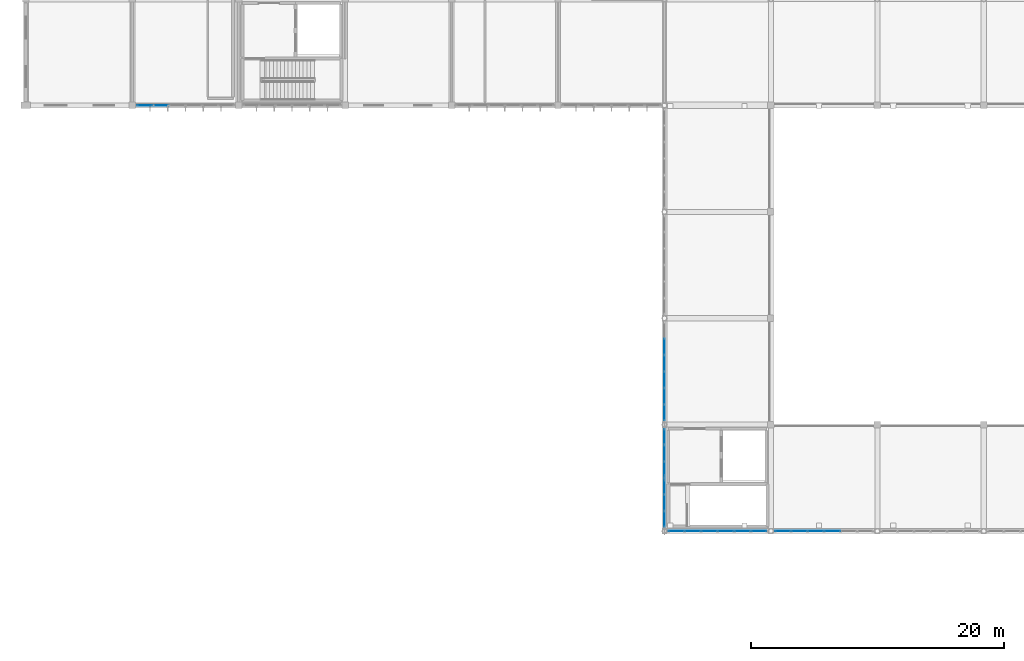
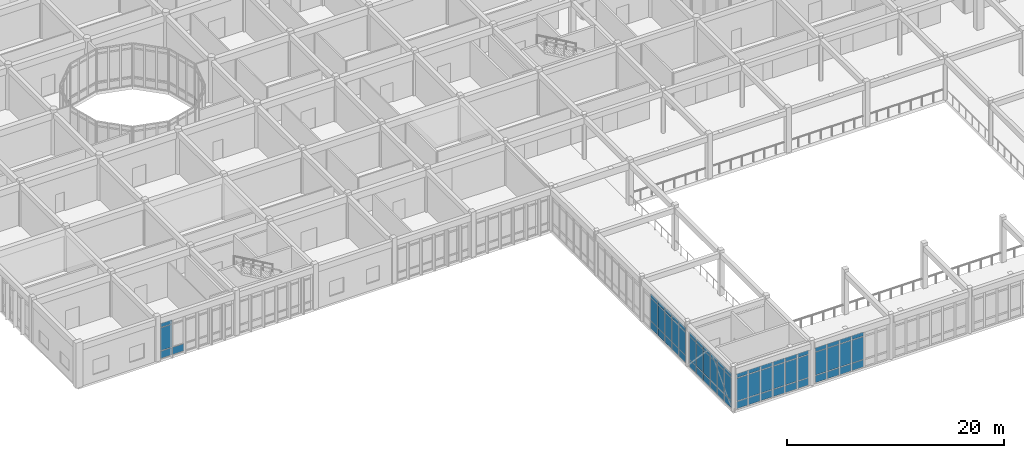
# One storey, part 66 of 134: 67 plates, 5 elements without a shape of their own.
"""IFC4 building model written with IfcOpenShell, lengths in metres."""

from ifc_helpers import new_model, si_unit, direction, frame, origin, origin_2d, place, context, subcontext, project, spatial, rectangle, extrude, material, layer, layer_set, type_object, element, aggregate, save


model = new_model("IFC4")

# Units and contexts
model_context = context("Model", 3, precision=1e-05, world=origin(), true_north=direction((0.0, 1.0)))
body_context = subcontext(model_context, "Body", "Model", "MODEL_VIEW")
ifc_project = project(units=[si_unit("LENGTHUNIT", "METRE"), si_unit("AREAUNIT", "SQUARE_METRE"), si_unit("VOLUMEUNIT", "CUBIC_METRE"), si_unit("PLANEANGLEUNIT", "RADIAN"), si_unit("MASSUNIT", "GRAM", prefix="KILO")], contexts=[model_context])

# Site, building, storey
site_placement = place(None, origin())
site = spatial("IfcSite", under=ifc_project, at=site_placement, CompositionType="ELEMENT")
building_placement = place(site_placement, origin())
building = spatial("IfcBuilding", under=site, at=building_placement, Name="Bramfleet General Hospital", CompositionType="ELEMENT")
storey_placement = place(building_placement, frame((0.0, 0.0, 9.300048828125)))
storey = spatial("IfcBuildingStorey", under=building, at=storey_placement, Name="L02", CompositionType="ELEMENT", Elevation=9.300048828125)

# Curtain wall, plates
ifc_material_1 = material(Name="Anodised aluminium and low-E triple glazing", Category="aluminium")
ifc_layer_1 = layer(ifc_material_1, 0.179931640625, Name="CWT-CW-07")
ifc_layer_set_1 = layer_set([ifc_layer_1], Name="Anodised aluminium and low-E triple glazing")
curtain_wall_type_1 = type_object("IfcCurtainWallType", Name="CWT-CW-07", PredefinedType="USERDEFINED", material=ifc_layer_set_1)
curtain_wall_1_placement = place(storey_placement, origin())
curtain_wall_1 = element("IfcCurtainWall", 1, at=curtain_wall_1_placement, inside=storey, type_object=curtain_wall_type_1, Name="L02 Curtain Wall 133", ObjectType="Unitised curtain wall", PredefinedType="USERDEFINED")
ifc_material_2 = material(Name="Low-E laminated safety glass", Category="glass")
ifc_layer_2 = layer(ifc_material_2, 0.028076171875, Name="CWP-GLZ-1")
ifc_layer_set_2 = layer_set([ifc_layer_2], Name="Low-E laminated safety glass")
plate_type_1 = type_object("IfcPlateType", Name="CWP-GLZ-1", PredefinedType="CURTAIN_PANEL", material=ifc_layer_set_2)
plate_1_placement = place(storey_placement, frame((57.849609375, 16.800048828125, 0.06494140625), z_axis=(0.0, 0.0, 1.0), x_axis=(-1.0, 0.0, 0.0)))
plate_1 = element("IfcPlate", 2, at=plate_1_placement, type_object=plate_type_1, Name="CW-07 panel 1.1", PredefinedType="CURTAIN_PANEL", context=body_context, shape_type="SweptSolid", body=[
    extrude(rectangle(XDim=1.19482421875, YDim=0.028076171875, at=origin_2d()), origin(), (0.0, 0.0, 1.0), 0.802490234375),
])
plate_2_placement = place(storey_placement, frame((57.849609375, 16.800048828125, 0.9326171875), z_axis=(0.0, 0.0, 1.0), x_axis=(-1.0, 0.0, 0.0)))
plate_2 = element("IfcPlate", 3, at=plate_2_placement, type_object=plate_type_1, Name="CW-07 panel 1.2", PredefinedType="CURTAIN_PANEL", context=body_context, shape_type="SweptSolid", body=[
    extrude(rectangle(XDim=1.19482421875, YDim=0.028076171875, at=origin_2d()), origin(), (0.0, 0.0, 1.0), 2.554931640625),
])
plate_3_placement = place(storey_placement, frame((57.849609375, 16.800048828125, 3.552734375), z_axis=(0.0, 0.0, 1.0), x_axis=(-1.0, 0.0, 0.0)))
plate_3 = element("IfcPlate", 4, at=plate_3_placement, type_object=plate_type_1, Name="CW-07 panel 1.3", PredefinedType="CURTAIN_PANEL", context=body_context, shape_type="SweptSolid", body=[
    extrude(rectangle(XDim=1.19482421875, YDim=0.028076171875, at=origin_2d()), origin(), (0.0, 0.0, 1.0), 0.452392578125),
])
plate_4_placement = place(storey_placement, frame((56.56103515625, 16.800048828125, 0.06494140625), z_axis=(0.0, 0.0, 1.0), x_axis=(-1.0, 0.0, 0.0)))
plate_4 = element("IfcPlate", 5, at=plate_4_placement, type_object=plate_type_1, Name="CW-07 panel 2.1", PredefinedType="CURTAIN_PANEL", context=body_context, shape_type="SweptSolid", body=[
    extrude(rectangle(XDim=1.232421875, YDim=0.028076171875, at=origin_2d()), origin(), (0.0, 0.0, 1.0), 0.802490234375),
])
plate_5_placement = place(storey_placement, frame((56.56103515625, 16.800048828125, 0.9326171875), z_axis=(0.0, 0.0, 1.0), x_axis=(-1.0, 0.0, 0.0)))
plate_5 = element("IfcPlate", 6, at=plate_5_placement, type_object=plate_type_1, Name="CW-07 panel 2.2", PredefinedType="CURTAIN_PANEL", context=body_context, shape_type="SweptSolid", body=[
    extrude(rectangle(XDim=1.232421875, YDim=0.028076171875, at=origin_2d()), origin(), (0.0, 0.0, 1.0), 2.554931640625),
])
plate_6_placement = place(storey_placement, frame((56.56103515625, 16.800048828125, 3.552734375), z_axis=(0.0, 0.0, 1.0), x_axis=(-1.0, 0.0, 0.0)))
plate_6 = element("IfcPlate", 7, at=plate_6_placement, type_object=plate_type_1, Name="CW-07 panel 2.3", PredefinedType="CURTAIN_PANEL", context=body_context, shape_type="SweptSolid", body=[
    extrude(rectangle(XDim=1.232421875, YDim=0.028076171875, at=origin_2d()), origin(), (0.0, 0.0, 1.0), 0.452392578125),
])
plate_7_placement = place(storey_placement, frame((55.253662109375, 16.800048828125, 0.06494140625), z_axis=(0.0, 0.0, 1.0), x_axis=(-1.0, 0.0, 0.0)))
plate_7 = element("IfcPlate", 8, at=plate_7_placement, type_object=plate_type_1, Name="CW-07 panel 3.1", PredefinedType="CURTAIN_PANEL", context=body_context, shape_type="SweptSolid", body=[
    extrude(rectangle(XDim=1.232421875, YDim=0.028076171875, at=origin_2d()), origin(), (0.0, 0.0, 1.0), 0.802490234375),
])
plate_8_placement = place(storey_placement, frame((55.253662109375, 16.800048828125, 0.9326171875), z_axis=(0.0, 0.0, 1.0), x_axis=(-1.0, 0.0, 0.0)))
plate_8 = element("IfcPlate", 9, at=plate_8_placement, type_object=plate_type_1, Name="CW-07 panel 3.2", PredefinedType="CURTAIN_PANEL", context=body_context, shape_type="SweptSolid", body=[
    extrude(rectangle(XDim=1.232421875, YDim=0.028076171875, at=origin_2d()), origin(), (0.0, 0.0, 1.0), 2.554931640625),
])
plate_9_placement = place(storey_placement, frame((55.253662109375, 16.800048828125, 3.552734375), z_axis=(0.0, 0.0, 1.0), x_axis=(-1.0, 0.0, 0.0)))
plate_9 = element("IfcPlate", 10, at=plate_9_placement, type_object=plate_type_1, Name="CW-07 panel 3.3", PredefinedType="CURTAIN_PANEL", context=body_context, shape_type="SweptSolid", body=[
    extrude(rectangle(XDim=1.232421875, YDim=0.028076171875, at=origin_2d()), origin(), (0.0, 0.0, 1.0), 0.452392578125),
])
plate_10_placement = place(storey_placement, frame((53.9462890625, 16.800048828125, 0.06494140625), z_axis=(0.0, 0.0, 1.0), x_axis=(-1.0, 0.0, 0.0)))
plate_10 = element("IfcPlate", 11, at=plate_10_placement, type_object=plate_type_1, Name="CW-07 panel 4.1", PredefinedType="CURTAIN_PANEL", context=body_context, shape_type="SweptSolid", body=[
    extrude(rectangle(XDim=1.232421875, YDim=0.028076171875, at=origin_2d()), origin(), (0.0, 0.0, 1.0), 0.802490234375),
])
plate_11_placement = place(storey_placement, frame((53.9462890625, 16.800048828125, 0.9326171875), z_axis=(0.0, 0.0, 1.0), x_axis=(-1.0, 0.0, 0.0)))
plate_11 = element("IfcPlate", 12, at=plate_11_placement, type_object=plate_type_1, Name="CW-07 panel 4.2", PredefinedType="CURTAIN_PANEL", context=body_context, shape_type="SweptSolid", body=[
    extrude(rectangle(XDim=1.232421875, YDim=0.028076171875, at=origin_2d()), origin(), (0.0, 0.0, 1.0), 2.554931640625),
])
plate_12_placement = place(storey_placement, frame((53.9462890625, 16.800048828125, 3.552734375), z_axis=(0.0, 0.0, 1.0), x_axis=(-1.0, 0.0, 0.0)))
plate_12 = element("IfcPlate", 13, at=plate_12_placement, type_object=plate_type_1, Name="CW-07 panel 4.3", PredefinedType="CURTAIN_PANEL", context=body_context, shape_type="SweptSolid", body=[
    extrude(rectangle(XDim=1.232421875, YDim=0.028076171875, at=origin_2d()), origin(), (0.0, 0.0, 1.0), 0.452392578125),
])
plate_13_placement = place(storey_placement, frame((52.638916015625, 16.800048828125, 0.06494140625), z_axis=(0.0, 0.0, 1.0), x_axis=(-1.0, 0.0, 0.0)))
plate_13 = element("IfcPlate", 14, at=plate_13_placement, type_object=plate_type_1, Name="CW-07 panel 5.1", PredefinedType="CURTAIN_PANEL", context=body_context, shape_type="SweptSolid", body=[
    extrude(rectangle(XDim=1.232421875, YDim=0.028076171875, at=origin_2d()), origin(), (0.0, 0.0, 1.0), 0.802490234375),
])
plate_14_placement = place(storey_placement, frame((52.638916015625, 16.800048828125, 0.9326171875), z_axis=(0.0, 0.0, 1.0), x_axis=(-1.0, 0.0, 0.0)))
plate_14 = element("IfcPlate", 15, at=plate_14_placement, type_object=plate_type_1, Name="CW-07 panel 5.2", PredefinedType="CURTAIN_PANEL", context=body_context, shape_type="SweptSolid", body=[
    extrude(rectangle(XDim=1.232421875, YDim=0.028076171875, at=origin_2d()), origin(), (0.0, 0.0, 1.0), 2.554931640625),
])
plate_15_placement = place(storey_placement, frame((52.638916015625, 16.800048828125, 3.552734375), z_axis=(0.0, 0.0, 1.0), x_axis=(-1.0, 0.0, 0.0)))
plate_15 = element("IfcPlate", 16, at=plate_15_placement, type_object=plate_type_1, Name="CW-07 panel 5.3", PredefinedType="CURTAIN_PANEL", context=body_context, shape_type="SweptSolid", body=[
    extrude(rectangle(XDim=1.232421875, YDim=0.028076171875, at=origin_2d()), origin(), (0.0, 0.0, 1.0), 0.452392578125),
])
plate_16_placement = place(storey_placement, frame((51.350341796875, 16.800048828125, 0.06494140625), z_axis=(0.0, 0.0, 1.0), x_axis=(-1.0, 0.0, 0.0)))
plate_16 = element("IfcPlate", 17, at=plate_16_placement, type_object=plate_type_1, Name="CW-07 panel 6.1", PredefinedType="CURTAIN_PANEL", context=body_context, shape_type="SweptSolid", body=[
    extrude(rectangle(XDim=1.19482421875, YDim=0.028076171875, at=origin_2d()), origin(), (0.0, 0.0, 1.0), 0.802490234375),
])
plate_17_placement = place(storey_placement, frame((51.350341796875, 16.800048828125, 0.9326171875), z_axis=(0.0, 0.0, 1.0), x_axis=(-1.0, 0.0, 0.0)))
plate_17 = element("IfcPlate", 18, at=plate_17_placement, type_object=plate_type_1, Name="CW-07 panel 6.2", PredefinedType="CURTAIN_PANEL", context=body_context, shape_type="SweptSolid", body=[
    extrude(rectangle(XDim=1.19482421875, YDim=0.028076171875, at=origin_2d()), origin(), (0.0, 0.0, 1.0), 2.554931640625),
])
plate_18_placement = place(storey_placement, frame((51.350341796875, 16.800048828125, 3.552734375), z_axis=(0.0, 0.0, 1.0), x_axis=(-1.0, 0.0, 0.0)))
plate_18 = element("IfcPlate", 19, at=plate_18_placement, type_object=plate_type_1, Name="CW-07 panel 6.3", PredefinedType="CURTAIN_PANEL", context=body_context, shape_type="SweptSolid", body=[
    extrude(rectangle(XDim=1.19482421875, YDim=0.028076171875, at=origin_2d()), origin(), (0.0, 0.0, 1.0), 0.452392578125),
])
aggregate(curtain_wall_1, [plate_1, plate_2, plate_3, plate_4, plate_5, plate_6, plate_7, plate_8, plate_9, plate_10, plate_11, plate_12, plate_13, plate_14, plate_15, plate_16, plate_17, plate_18])

ifc_layer_3 = layer(ifc_material_1, 0.179931640625, Name="CWT-CW-15")
ifc_layer_set_3 = layer_set([ifc_layer_3], Name="Anodised aluminium and low-E triple glazing")
curtain_wall_type_2 = type_object("IfcCurtainWallType", Name="CWT-CW-15", PredefinedType="USERDEFINED", material=ifc_layer_set_3)
curtain_wall_2_placement = place(storey_placement, origin())
curtain_wall_2 = element("IfcCurtainWall", 20, at=curtain_wall_2_placement, inside=storey, type_object=curtain_wall_type_2, Name="L02 Curtain Wall 141", ObjectType="Stick curtain wall", PredefinedType="USERDEFINED")
plate_19_placement = place(storey_placement, frame((10.66259765625, 50.39990234375, 0.06494140625), z_axis=(0.0, 0.0, 1.0), x_axis=(-1.0, 0.0, 0.0)))
plate_19 = element("IfcPlate", 21, at=plate_19_placement, type_object=plate_type_1, Name="CW-15 panel 5.1", PredefinedType="CURTAIN_PANEL", context=body_context, shape_type="SweptSolid", body=[
    extrude(rectangle(XDim=1.2216796875, YDim=0.028076171875, at=origin_2d()), origin(), (0.0, 0.0, 1.0), 0.802490234375),
])
plate_20_placement = place(storey_placement, frame((9.388427734375, 50.39990234375, 0.06494140625), z_axis=(0.0, 0.0, 1.0), x_axis=(-1.0, 0.0, 0.0)))
plate_20 = element("IfcPlate", 22, at=plate_20_placement, type_object=plate_type_1, Name="CW-15 panel 6.1", PredefinedType="CURTAIN_PANEL", context=body_context, shape_type="SweptSolid", body=[
    extrude(rectangle(XDim=1.186767578125, YDim=0.028076171875, at=origin_2d()), origin(), (0.0, 0.0, 1.0), 0.802490234375),
])
plate_21_placement = place(storey_placement, frame((9.388427734375, 50.39990234375, 0.9326171875), z_axis=(0.0, 0.0, 1.0), x_axis=(-1.0, 0.0, 0.0)))
plate_21 = element("IfcPlate", 23, at=plate_21_placement, type_object=plate_type_1, Name="CW-15 panel 6.2", PredefinedType="CURTAIN_PANEL", context=body_context, shape_type="SweptSolid", body=[
    extrude(rectangle(XDim=1.186767578125, YDim=0.028076171875, at=origin_2d()), origin(), (0.0, 0.0, 1.0), 2.554931640625),
])
plate_22_placement = place(storey_placement, frame((9.388427734375, 50.39990234375, 3.552734375), z_axis=(0.0, 0.0, 1.0), x_axis=(-1.0, 0.0, 0.0)))
plate_22 = element("IfcPlate", 24, at=plate_22_placement, type_object=plate_type_1, Name="CW-15 panel 6.3", PredefinedType="CURTAIN_PANEL", context=body_context, shape_type="SweptSolid", body=[
    extrude(rectangle(XDim=1.186767578125, YDim=0.028076171875, at=origin_2d()), origin(), (0.0, 0.0, 1.0), 0.452392578125),
])
aggregate(curtain_wall_2, [plate_19, plate_20, plate_21, plate_22])

ifc_layer_4 = layer(ifc_material_1, 0.179931640625, Name="CWT-CW-08")
ifc_layer_set_4 = layer_set([ifc_layer_4], Name="Anodised aluminium and low-E triple glazing")
curtain_wall_type_3 = type_object("IfcCurtainWallType", Name="CWT-CW-08", PredefinedType="USERDEFINED", material=ifc_layer_set_4)
curtain_wall_3_placement = place(storey_placement, origin())
curtain_wall_3 = element("IfcCurtainWall", 25, at=curtain_wall_3_placement, inside=storey, type_object=curtain_wall_type_3, Name="L02 Curtain Wall 134", ObjectType="Unitised curtain wall", PredefinedType="USERDEFINED")
ifc_layer_5 = layer(ifc_material_2, 0.031982421875, Name="CWP-GLZ-2")
ifc_layer_set_5 = layer_set([ifc_layer_5], Name="Low-E laminated safety glass")
plate_type_2 = type_object("IfcPlateType", Name="CWP-GLZ-2", PredefinedType="CURTAIN_PANEL", material=ifc_layer_set_5)
plate_23_placement = place(storey_placement, frame((50.39990234375, 17.75048828125, 0.06494140625), z_axis=(0.0, 0.0, 1.0), x_axis=(0.0, 1.0, 0.0)))
plate_23 = element("IfcPlate", 26, at=plate_23_placement, type_object=plate_type_2, Name="CW-08 panel 1.1", PredefinedType="CURTAIN_PANEL", context=body_context, shape_type="SweptSolid", body=[
    extrude(rectangle(XDim=1.19482421875, YDim=0.031982421875, at=origin_2d()), origin(), (0.0, 0.0, 1.0), 0.802490234375),
])
plate_24_placement = place(storey_placement, frame((50.39990234375, 17.75048828125, 0.9326171875), z_axis=(0.0, 0.0, 1.0), x_axis=(0.0, 1.0, 0.0)))
plate_24 = element("IfcPlate", 27, at=plate_24_placement, type_object=plate_type_2, Name="CW-08 panel 1.2", PredefinedType="CURTAIN_PANEL", context=body_context, shape_type="SweptSolid", body=[
    extrude(rectangle(XDim=1.19482421875, YDim=0.031982421875, at=origin_2d()), origin(), (0.0, 0.0, 1.0), 2.554931640625),
])
plate_25_placement = place(storey_placement, frame((50.39990234375, 17.75048828125, 3.552734375), z_axis=(0.0, 0.0, 1.0), x_axis=(0.0, 1.0, 0.0)))
plate_25 = element("IfcPlate", 28, at=plate_25_placement, type_object=plate_type_2, Name="CW-08 panel 1.3", PredefinedType="CURTAIN_PANEL", context=body_context, shape_type="SweptSolid", body=[
    extrude(rectangle(XDim=1.19482421875, YDim=0.031982421875, at=origin_2d()), origin(), (0.0, 0.0, 1.0), 0.452392578125),
])
plate_26_placement = place(storey_placement, frame((50.39990234375, 19.0390625, 0.06494140625), z_axis=(0.0, 0.0, 1.0), x_axis=(0.0, 1.0, 0.0)))
plate_26 = element("IfcPlate", 29, at=plate_26_placement, type_object=plate_type_2, Name="CW-08 panel 2.1", PredefinedType="CURTAIN_PANEL", context=body_context, shape_type="SweptSolid", body=[
    extrude(rectangle(XDim=1.232421875, YDim=0.031982421875, at=origin_2d()), origin(), (0.0, 0.0, 1.0), 0.802490234375),
])
plate_27_placement = place(storey_placement, frame((50.39990234375, 19.0390625, 0.9326171875), z_axis=(0.0, 0.0, 1.0), x_axis=(0.0, 1.0, 0.0)))
plate_27 = element("IfcPlate", 30, at=plate_27_placement, type_object=plate_type_2, Name="CW-08 panel 2.2", PredefinedType="CURTAIN_PANEL", context=body_context, shape_type="SweptSolid", body=[
    extrude(rectangle(XDim=1.232421875, YDim=0.031982421875, at=origin_2d()), origin(), (0.0, 0.0, 1.0), 2.554931640625),
])
plate_28_placement = place(storey_placement, frame((50.39990234375, 19.0390625, 3.552734375), z_axis=(0.0, 0.0, 1.0), x_axis=(0.0, 1.0, 0.0)))
plate_28 = element("IfcPlate", 31, at=plate_28_placement, type_object=plate_type_2, Name="CW-08 panel 2.3", PredefinedType="CURTAIN_PANEL", context=body_context, shape_type="SweptSolid", body=[
    extrude(rectangle(XDim=1.232421875, YDim=0.031982421875, at=origin_2d()), origin(), (0.0, 0.0, 1.0), 0.452392578125),
])
plate_29_placement = place(storey_placement, frame((50.39990234375, 20.346435546875, 0.06494140625), z_axis=(0.0, 0.0, 1.0), x_axis=(0.0, 1.0, 0.0)))
plate_29 = element("IfcPlate", 32, at=plate_29_placement, type_object=plate_type_2, Name="CW-08 panel 3.1", PredefinedType="CURTAIN_PANEL", context=body_context, shape_type="SweptSolid", body=[
    extrude(rectangle(XDim=1.232421875, YDim=0.031982421875, at=origin_2d()), origin(), (0.0, 0.0, 1.0), 0.802490234375),
])
plate_30_placement = place(storey_placement, frame((50.39990234375, 20.346435546875, 0.9326171875), z_axis=(0.0, 0.0, 1.0), x_axis=(0.0, 1.0, 0.0)))
plate_30 = element("IfcPlate", 33, at=plate_30_placement, type_object=plate_type_2, Name="CW-08 panel 3.2", PredefinedType="CURTAIN_PANEL", context=body_context, shape_type="SweptSolid", body=[
    extrude(rectangle(XDim=1.232421875, YDim=0.031982421875, at=origin_2d()), origin(), (0.0, 0.0, 1.0), 2.554931640625),
])
plate_31_placement = place(storey_placement, frame((50.39990234375, 20.346435546875, 3.552734375), z_axis=(0.0, 0.0, 1.0), x_axis=(0.0, 1.0, 0.0)))
plate_31 = element("IfcPlate", 34, at=plate_31_placement, type_object=plate_type_2, Name="CW-08 panel 3.3", PredefinedType="CURTAIN_PANEL", context=body_context, shape_type="SweptSolid", body=[
    extrude(rectangle(XDim=1.232421875, YDim=0.031982421875, at=origin_2d()), origin(), (0.0, 0.0, 1.0), 0.452392578125),
])
plate_32_placement = place(storey_placement, frame((50.39990234375, 21.653564453125, 0.06494140625), z_axis=(0.0, 0.0, 1.0), x_axis=(0.0, 1.0, 0.0)))
plate_32 = element("IfcPlate", 35, at=plate_32_placement, type_object=plate_type_2, Name="CW-08 panel 4.1", PredefinedType="CURTAIN_PANEL", context=body_context, shape_type="SweptSolid", body=[
    extrude(rectangle(XDim=1.232421875, YDim=0.031982421875, at=origin_2d()), origin(), (0.0, 0.0, 1.0), 0.802490234375),
])
plate_33_placement = place(storey_placement, frame((50.39990234375, 21.653564453125, 0.9326171875), z_axis=(0.0, 0.0, 1.0), x_axis=(0.0, 1.0, 0.0)))
plate_33 = element("IfcPlate", 36, at=plate_33_placement, type_object=plate_type_2, Name="CW-08 panel 4.2", PredefinedType="CURTAIN_PANEL", context=body_context, shape_type="SweptSolid", body=[
    extrude(rectangle(XDim=1.232421875, YDim=0.031982421875, at=origin_2d()), origin(), (0.0, 0.0, 1.0), 2.554931640625),
])
plate_34_placement = place(storey_placement, frame((50.39990234375, 21.653564453125, 3.552734375), z_axis=(0.0, 0.0, 1.0), x_axis=(0.0, 1.0, 0.0)))
plate_34 = element("IfcPlate", 37, at=plate_34_placement, type_object=plate_type_2, Name="CW-08 panel 4.3", PredefinedType="CURTAIN_PANEL", context=body_context, shape_type="SweptSolid", body=[
    extrude(rectangle(XDim=1.232421875, YDim=0.031982421875, at=origin_2d()), origin(), (0.0, 0.0, 1.0), 0.452392578125),
])
plate_35_placement = place(storey_placement, frame((50.39990234375, 22.9609375, 0.06494140625), z_axis=(0.0, 0.0, 1.0), x_axis=(0.0, 1.0, 0.0)))
plate_35 = element("IfcPlate", 38, at=plate_35_placement, type_object=plate_type_2, Name="CW-08 panel 5.1", PredefinedType="CURTAIN_PANEL", context=body_context, shape_type="SweptSolid", body=[
    extrude(rectangle(XDim=1.232421875, YDim=0.031982421875, at=origin_2d()), origin(), (0.0, 0.0, 1.0), 0.802490234375),
])
plate_36_placement = place(storey_placement, frame((50.39990234375, 22.9609375, 0.9326171875), z_axis=(0.0, 0.0, 1.0), x_axis=(0.0, 1.0, 0.0)))
plate_36 = element("IfcPlate", 39, at=plate_36_placement, type_object=plate_type_2, Name="CW-08 panel 5.2", PredefinedType="CURTAIN_PANEL", context=body_context, shape_type="SweptSolid", body=[
    extrude(rectangle(XDim=1.232421875, YDim=0.031982421875, at=origin_2d()), origin(), (0.0, 0.0, 1.0), 2.554931640625),
])
plate_37_placement = place(storey_placement, frame((50.39990234375, 22.9609375, 3.552734375), z_axis=(0.0, 0.0, 1.0), x_axis=(0.0, 1.0, 0.0)))
plate_37 = element("IfcPlate", 40, at=plate_37_placement, type_object=plate_type_2, Name="CW-08 panel 5.3", PredefinedType="CURTAIN_PANEL", context=body_context, shape_type="SweptSolid", body=[
    extrude(rectangle(XDim=1.232421875, YDim=0.031982421875, at=origin_2d()), origin(), (0.0, 0.0, 1.0), 0.452392578125),
])
plate_38_placement = place(storey_placement, frame((50.39990234375, 24.24951171875, 0.06494140625), z_axis=(0.0, 0.0, 1.0), x_axis=(0.0, 1.0, 0.0)))
plate_38 = element("IfcPlate", 41, at=plate_38_placement, type_object=plate_type_2, Name="CW-08 panel 6.1", PredefinedType="CURTAIN_PANEL", context=body_context, shape_type="SweptSolid", body=[
    extrude(rectangle(XDim=1.19482421875, YDim=0.031982421875, at=origin_2d()), origin(), (0.0, 0.0, 1.0), 0.802490234375),
])
plate_39_placement = place(storey_placement, frame((50.39990234375, 24.24951171875, 0.9326171875), z_axis=(0.0, 0.0, 1.0), x_axis=(0.0, 1.0, 0.0)))
plate_39 = element("IfcPlate", 42, at=plate_39_placement, type_object=plate_type_2, Name="CW-08 panel 6.2", PredefinedType="CURTAIN_PANEL", context=body_context, shape_type="SweptSolid", body=[
    extrude(rectangle(XDim=1.19482421875, YDim=0.031982421875, at=origin_2d()), origin(), (0.0, 0.0, 1.0), 2.554931640625),
])
plate_40_placement = place(storey_placement, frame((50.39990234375, 24.24951171875, 3.552734375), z_axis=(0.0, 0.0, 1.0), x_axis=(0.0, 1.0, 0.0)))
plate_40 = element("IfcPlate", 43, at=plate_40_placement, type_object=plate_type_2, Name="CW-08 panel 6.3", PredefinedType="CURTAIN_PANEL", context=body_context, shape_type="SweptSolid", body=[
    extrude(rectangle(XDim=1.19482421875, YDim=0.031982421875, at=origin_2d()), origin(), (0.0, 0.0, 1.0), 0.452392578125),
])
aggregate(curtain_wall_3, [plate_23, plate_24, plate_25, plate_26, plate_27, plate_28, plate_29, plate_30, plate_31, plate_32, plate_33, plate_34, plate_35, plate_36, plate_37, plate_38, plate_39, plate_40])

ifc_layer_6 = layer(ifc_material_1, 0.179931640625, Name="CWT-CW-09")
ifc_layer_set_6 = layer_set([ifc_layer_6], Name="Anodised aluminium and low-E triple glazing")
curtain_wall_type_4 = type_object("IfcCurtainWallType", Name="CWT-CW-09", PredefinedType="USERDEFINED", material=ifc_layer_set_6)
curtain_wall_4_placement = place(storey_placement, origin())
curtain_wall_4 = element("IfcCurtainWall", 44, at=curtain_wall_4_placement, inside=storey, type_object=curtain_wall_type_4, Name="L02 Curtain Wall 135", ObjectType="Unitised curtain wall", PredefinedType="USERDEFINED")
ifc_layer_7 = layer(ifc_material_2, 0.035888671875, Name="CWP-GLZ-3")
ifc_layer_set_7 = layer_set([ifc_layer_7], Name="Low-E laminated safety glass")
plate_type_3 = type_object("IfcPlateType", Name="CWP-GLZ-3", PredefinedType="CURTAIN_PANEL", material=ifc_layer_set_7)
plate_41_placement = place(storey_placement, frame((50.39990234375, 26.150390625, 0.06494140625), z_axis=(0.0, 0.0, 1.0), x_axis=(0.0, 1.0, 0.0)))
plate_41 = element("IfcPlate", 45, at=plate_41_placement, type_object=plate_type_3, Name="CW-09 panel 1.1", PredefinedType="CURTAIN_PANEL", context=body_context, shape_type="SweptSolid", body=[
    extrude(rectangle(XDim=1.19482421875, YDim=0.035888671875, at=origin_2d()), origin(), (0.0, 0.0, 1.0), 0.802490234375),
])
plate_42_placement = place(storey_placement, frame((50.39990234375, 26.150390625, 0.9326171875), z_axis=(0.0, 0.0, 1.0), x_axis=(0.0, 1.0, 0.0)))
plate_42 = element("IfcPlate", 46, at=plate_42_placement, type_object=plate_type_3, Name="CW-09 panel 1.2", PredefinedType="CURTAIN_PANEL", context=body_context, shape_type="SweptSolid", body=[
    extrude(rectangle(XDim=1.19482421875, YDim=0.035888671875, at=origin_2d()), origin(), (0.0, 0.0, 1.0), 2.554931640625),
])
plate_43_placement = place(storey_placement, frame((50.39990234375, 26.150390625, 3.552734375), z_axis=(0.0, 0.0, 1.0), x_axis=(0.0, 1.0, 0.0)))
plate_43 = element("IfcPlate", 47, at=plate_43_placement, type_object=plate_type_3, Name="CW-09 panel 1.3", PredefinedType="CURTAIN_PANEL", context=body_context, shape_type="SweptSolid", body=[
    extrude(rectangle(XDim=1.19482421875, YDim=0.035888671875, at=origin_2d()), origin(), (0.0, 0.0, 1.0), 0.452392578125),
])
plate_44_placement = place(storey_placement, frame((50.39990234375, 27.43896484375, 0.06494140625), z_axis=(0.0, 0.0, 1.0), x_axis=(0.0, 1.0, 0.0)))
plate_44 = element("IfcPlate", 48, at=plate_44_placement, type_object=plate_type_3, Name="CW-09 panel 2.1", PredefinedType="CURTAIN_PANEL", context=body_context, shape_type="SweptSolid", body=[
    extrude(rectangle(XDim=1.232421875, YDim=0.035888671875, at=origin_2d()), origin(), (0.0, 0.0, 1.0), 0.802490234375),
])
plate_45_placement = place(storey_placement, frame((50.39990234375, 27.43896484375, 0.9326171875), z_axis=(0.0, 0.0, 1.0), x_axis=(0.0, 1.0, 0.0)))
plate_45 = element("IfcPlate", 49, at=plate_45_placement, type_object=plate_type_3, Name="CW-09 panel 2.2", PredefinedType="CURTAIN_PANEL", context=body_context, shape_type="SweptSolid", body=[
    extrude(rectangle(XDim=1.232421875, YDim=0.035888671875, at=origin_2d()), origin(), (0.0, 0.0, 1.0), 2.554931640625),
])
plate_46_placement = place(storey_placement, frame((50.39990234375, 27.43896484375, 3.552734375), z_axis=(0.0, 0.0, 1.0), x_axis=(0.0, 1.0, 0.0)))
plate_46 = element("IfcPlate", 50, at=plate_46_placement, type_object=plate_type_3, Name="CW-09 panel 2.3", PredefinedType="CURTAIN_PANEL", context=body_context, shape_type="SweptSolid", body=[
    extrude(rectangle(XDim=1.232421875, YDim=0.035888671875, at=origin_2d()), origin(), (0.0, 0.0, 1.0), 0.452392578125),
])
plate_47_placement = place(storey_placement, frame((50.39990234375, 28.746337890625, 0.06494140625), z_axis=(0.0, 0.0, 1.0), x_axis=(0.0, 1.0, 0.0)))
plate_47 = element("IfcPlate", 51, at=plate_47_placement, type_object=plate_type_3, Name="CW-09 panel 3.1", PredefinedType="CURTAIN_PANEL", context=body_context, shape_type="SweptSolid", body=[
    extrude(rectangle(XDim=1.232421875, YDim=0.035888671875, at=origin_2d()), origin(), (0.0, 0.0, 1.0), 0.802490234375),
])
plate_48_placement = place(storey_placement, frame((50.39990234375, 28.746337890625, 0.9326171875), z_axis=(0.0, 0.0, 1.0), x_axis=(0.0, 1.0, 0.0)))
plate_48 = element("IfcPlate", 52, at=plate_48_placement, type_object=plate_type_3, Name="CW-09 panel 3.2", PredefinedType="CURTAIN_PANEL", context=body_context, shape_type="SweptSolid", body=[
    extrude(rectangle(XDim=1.232421875, YDim=0.035888671875, at=origin_2d()), origin(), (0.0, 0.0, 1.0), 2.554931640625),
])
plate_49_placement = place(storey_placement, frame((50.39990234375, 28.746337890625, 3.552734375), z_axis=(0.0, 0.0, 1.0), x_axis=(0.0, 1.0, 0.0)))
plate_49 = element("IfcPlate", 53, at=plate_49_placement, type_object=plate_type_3, Name="CW-09 panel 3.3", PredefinedType="CURTAIN_PANEL", context=body_context, shape_type="SweptSolid", body=[
    extrude(rectangle(XDim=1.232421875, YDim=0.035888671875, at=origin_2d()), origin(), (0.0, 0.0, 1.0), 0.452392578125),
])
plate_50_placement = place(storey_placement, frame((50.39990234375, 30.0537109375, 0.06494140625), z_axis=(0.0, 0.0, 1.0), x_axis=(0.0, 1.0, 0.0)))
plate_50 = element("IfcPlate", 54, at=plate_50_placement, type_object=plate_type_3, Name="CW-09 panel 4.1", PredefinedType="CURTAIN_PANEL", context=body_context, shape_type="SweptSolid", body=[
    extrude(rectangle(XDim=1.232421875, YDim=0.035888671875, at=origin_2d()), origin(), (0.0, 0.0, 1.0), 0.802490234375),
])
plate_51_placement = place(storey_placement, frame((50.39990234375, 30.0537109375, 0.9326171875), z_axis=(0.0, 0.0, 1.0), x_axis=(0.0, 1.0, 0.0)))
plate_51 = element("IfcPlate", 55, at=plate_51_placement, type_object=plate_type_3, Name="CW-09 panel 4.2", PredefinedType="CURTAIN_PANEL", context=body_context, shape_type="SweptSolid", body=[
    extrude(rectangle(XDim=1.232421875, YDim=0.035888671875, at=origin_2d()), origin(), (0.0, 0.0, 1.0), 2.554931640625),
])
plate_52_placement = place(storey_placement, frame((50.39990234375, 30.0537109375, 3.552734375), z_axis=(0.0, 0.0, 1.0), x_axis=(0.0, 1.0, 0.0)))
plate_52 = element("IfcPlate", 56, at=plate_52_placement, type_object=plate_type_3, Name="CW-09 panel 4.3", PredefinedType="CURTAIN_PANEL", context=body_context, shape_type="SweptSolid", body=[
    extrude(rectangle(XDim=1.232421875, YDim=0.035888671875, at=origin_2d()), origin(), (0.0, 0.0, 1.0), 0.452392578125),
])
plate_53_placement = place(storey_placement, frame((50.39990234375, 31.361083984375, 0.06494140625), z_axis=(0.0, 0.0, 1.0), x_axis=(0.0, 1.0, 0.0)))
plate_53 = element("IfcPlate", 57, at=plate_53_placement, type_object=plate_type_3, Name="CW-09 panel 5.1", PredefinedType="CURTAIN_PANEL", context=body_context, shape_type="SweptSolid", body=[
    extrude(rectangle(XDim=1.232421875, YDim=0.035888671875, at=origin_2d()), origin(), (0.0, 0.0, 1.0), 0.802490234375),
])
plate_54_placement = place(storey_placement, frame((50.39990234375, 31.361083984375, 0.9326171875), z_axis=(0.0, 0.0, 1.0), x_axis=(0.0, 1.0, 0.0)))
plate_54 = element("IfcPlate", 58, at=plate_54_placement, type_object=plate_type_3, Name="CW-09 panel 5.2", PredefinedType="CURTAIN_PANEL", context=body_context, shape_type="SweptSolid", body=[
    extrude(rectangle(XDim=1.232421875, YDim=0.035888671875, at=origin_2d()), origin(), (0.0, 0.0, 1.0), 2.554931640625),
])
plate_55_placement = place(storey_placement, frame((50.39990234375, 31.361083984375, 3.552734375), z_axis=(0.0, 0.0, 1.0), x_axis=(0.0, 1.0, 0.0)))
plate_55 = element("IfcPlate", 59, at=plate_55_placement, type_object=plate_type_3, Name="CW-09 panel 5.3", PredefinedType="CURTAIN_PANEL", context=body_context, shape_type="SweptSolid", body=[
    extrude(rectangle(XDim=1.232421875, YDim=0.035888671875, at=origin_2d()), origin(), (0.0, 0.0, 1.0), 0.452392578125),
])
aggregate(curtain_wall_4, [plate_41, plate_42, plate_43, plate_44, plate_45, plate_46, plate_47, plate_48, plate_49, plate_50, plate_51, plate_52, plate_53, plate_54, plate_55])

ifc_layer_8 = layer(ifc_material_1, 0.179931640625, Name="CWT-CW-06")
ifc_layer_set_8 = layer_set([ifc_layer_8], Name="Anodised aluminium and low-E triple glazing")
curtain_wall_type_5 = type_object("IfcCurtainWallType", Name="CWT-CW-06", PredefinedType="USERDEFINED", material=ifc_layer_set_8)
curtain_wall_5_placement = place(storey_placement, origin())
curtain_wall_5 = element("IfcCurtainWall", 60, at=curtain_wall_5_placement, inside=storey, type_object=curtain_wall_type_5, Name="L02 Curtain Wall 132", ObjectType="Unitised curtain wall", PredefinedType="USERDEFINED")
ifc_layer_9 = layer(ifc_material_2, 0.0419921875, Name="CWP-GLZ-4")
ifc_layer_set_9 = layer_set([ifc_layer_9], Name="Low-E laminated safety glass")
plate_type_4 = type_object("IfcPlateType", Name="CWP-GLZ-4", PredefinedType="CURTAIN_PANEL", material=ifc_layer_set_9)
plate_56_placement = place(storey_placement, frame((63.653564453125, 16.800048828125, 0.06494140625), z_axis=(0.0, 0.0, 1.0), x_axis=(-1.0, 0.0, 0.0)))
plate_56 = element("IfcPlate", 61, at=plate_56_placement, type_object=plate_type_4, Name="CW-06 panel 3.1", PredefinedType="CURTAIN_PANEL", context=body_context, shape_type="SweptSolid", body=[
    extrude(rectangle(XDim=1.232421875, YDim=0.0419921875, at=origin_2d()), origin(), (0.0, 0.0, 1.0), 0.802490234375),
])
plate_57_placement = place(storey_placement, frame((63.653564453125, 16.800048828125, 0.9326171875), z_axis=(0.0, 0.0, 1.0), x_axis=(-1.0, 0.0, 0.0)))
plate_57 = element("IfcPlate", 62, at=plate_57_placement, type_object=plate_type_4, Name="CW-06 panel 3.2", PredefinedType="CURTAIN_PANEL", context=body_context, shape_type="SweptSolid", body=[
    extrude(rectangle(XDim=1.232421875, YDim=0.0419921875, at=origin_2d()), origin(), (0.0, 0.0, 1.0), 2.554931640625),
])
plate_58_placement = place(storey_placement, frame((63.653564453125, 16.800048828125, 3.552734375), z_axis=(0.0, 0.0, 1.0), x_axis=(-1.0, 0.0, 0.0)))
plate_58 = element("IfcPlate", 63, at=plate_58_placement, type_object=plate_type_4, Name="CW-06 panel 3.3", PredefinedType="CURTAIN_PANEL", context=body_context, shape_type="SweptSolid", body=[
    extrude(rectangle(XDim=1.232421875, YDim=0.0419921875, at=origin_2d()), origin(), (0.0, 0.0, 1.0), 0.452392578125),
])
plate_59_placement = place(storey_placement, frame((62.346435546875, 16.800048828125, 0.06494140625), z_axis=(0.0, 0.0, 1.0), x_axis=(-1.0, 0.0, 0.0)))
plate_59 = element("IfcPlate", 64, at=plate_59_placement, type_object=plate_type_4, Name="CW-06 panel 4.1", PredefinedType="CURTAIN_PANEL", context=body_context, shape_type="SweptSolid", body=[
    extrude(rectangle(XDim=1.232421875, YDim=0.0419921875, at=origin_2d()), origin(), (0.0, 0.0, 1.0), 0.802490234375),
])
plate_60_placement = place(storey_placement, frame((62.346435546875, 16.800048828125, 0.9326171875), z_axis=(0.0, 0.0, 1.0), x_axis=(-1.0, 0.0, 0.0)))
plate_60 = element("IfcPlate", 65, at=plate_60_placement, type_object=plate_type_4, Name="CW-06 panel 4.2", PredefinedType="CURTAIN_PANEL", context=body_context, shape_type="SweptSolid", body=[
    extrude(rectangle(XDim=1.232421875, YDim=0.0419921875, at=origin_2d()), origin(), (0.0, 0.0, 1.0), 2.554931640625),
])
plate_61_placement = place(storey_placement, frame((62.346435546875, 16.800048828125, 3.552734375), z_axis=(0.0, 0.0, 1.0), x_axis=(-1.0, 0.0, 0.0)))
plate_61 = element("IfcPlate", 66, at=plate_61_placement, type_object=plate_type_4, Name="CW-06 panel 4.3", PredefinedType="CURTAIN_PANEL", context=body_context, shape_type="SweptSolid", body=[
    extrude(rectangle(XDim=1.232421875, YDim=0.0419921875, at=origin_2d()), origin(), (0.0, 0.0, 1.0), 0.452392578125),
])
plate_62_placement = place(storey_placement, frame((61.0390625, 16.800048828125, 0.06494140625), z_axis=(0.0, 0.0, 1.0), x_axis=(-1.0, 0.0, 0.0)))
plate_62 = element("IfcPlate", 67, at=plate_62_placement, type_object=plate_type_4, Name="CW-06 panel 5.1", PredefinedType="CURTAIN_PANEL", context=body_context, shape_type="SweptSolid", body=[
    extrude(rectangle(XDim=1.232421875, YDim=0.0419921875, at=origin_2d()), origin(), (0.0, 0.0, 1.0), 0.802490234375),
])
plate_63_placement = place(storey_placement, frame((61.0390625, 16.800048828125, 0.9326171875), z_axis=(0.0, 0.0, 1.0), x_axis=(-1.0, 0.0, 0.0)))
plate_63 = element("IfcPlate", 68, at=plate_63_placement, type_object=plate_type_4, Name="CW-06 panel 5.2", PredefinedType="CURTAIN_PANEL", context=body_context, shape_type="SweptSolid", body=[
    extrude(rectangle(XDim=1.232421875, YDim=0.0419921875, at=origin_2d()), origin(), (0.0, 0.0, 1.0), 2.554931640625),
])
plate_64_placement = place(storey_placement, frame((61.0390625, 16.800048828125, 3.552734375), z_axis=(0.0, 0.0, 1.0), x_axis=(-1.0, 0.0, 0.0)))
plate_64 = element("IfcPlate", 69, at=plate_64_placement, type_object=plate_type_4, Name="CW-06 panel 5.3", PredefinedType="CURTAIN_PANEL", context=body_context, shape_type="SweptSolid", body=[
    extrude(rectangle(XDim=1.232421875, YDim=0.0419921875, at=origin_2d()), origin(), (0.0, 0.0, 1.0), 0.452392578125),
])
plate_65_placement = place(storey_placement, frame((59.75048828125, 16.800048828125, 0.06494140625), z_axis=(0.0, 0.0, 1.0), x_axis=(-1.0, 0.0, 0.0)))
plate_65 = element("IfcPlate", 70, at=plate_65_placement, type_object=plate_type_4, Name="CW-06 panel 6.1", PredefinedType="CURTAIN_PANEL", context=body_context, shape_type="SweptSolid", body=[
    extrude(rectangle(XDim=1.19482421875, YDim=0.0419921875, at=origin_2d()), origin(), (0.0, 0.0, 1.0), 0.802490234375),
])
plate_66_placement = place(storey_placement, frame((59.75048828125, 16.800048828125, 0.9326171875), z_axis=(0.0, 0.0, 1.0), x_axis=(-1.0, 0.0, 0.0)))
plate_66 = element("IfcPlate", 71, at=plate_66_placement, type_object=plate_type_4, Name="CW-06 panel 6.2", PredefinedType="CURTAIN_PANEL", context=body_context, shape_type="SweptSolid", body=[
    extrude(rectangle(XDim=1.19482421875, YDim=0.0419921875, at=origin_2d()), origin(), (0.0, 0.0, 1.0), 2.554931640625),
])
plate_67_placement = place(storey_placement, frame((59.75048828125, 16.800048828125, 3.552734375), z_axis=(0.0, 0.0, 1.0), x_axis=(-1.0, 0.0, 0.0)))
plate_67 = element("IfcPlate", 72, at=plate_67_placement, type_object=plate_type_4, Name="CW-06 panel 6.3", PredefinedType="CURTAIN_PANEL", context=body_context, shape_type="SweptSolid", body=[
    extrude(rectangle(XDim=1.19482421875, YDim=0.0419921875, at=origin_2d()), origin(), (0.0, 0.0, 1.0), 0.452392578125),
])
aggregate(curtain_wall_5, [plate_56, plate_57, plate_58, plate_59, plate_60, plate_61, plate_62, plate_63, plate_64, plate_65, plate_66, plate_67])

save(model, "model.ifc")
